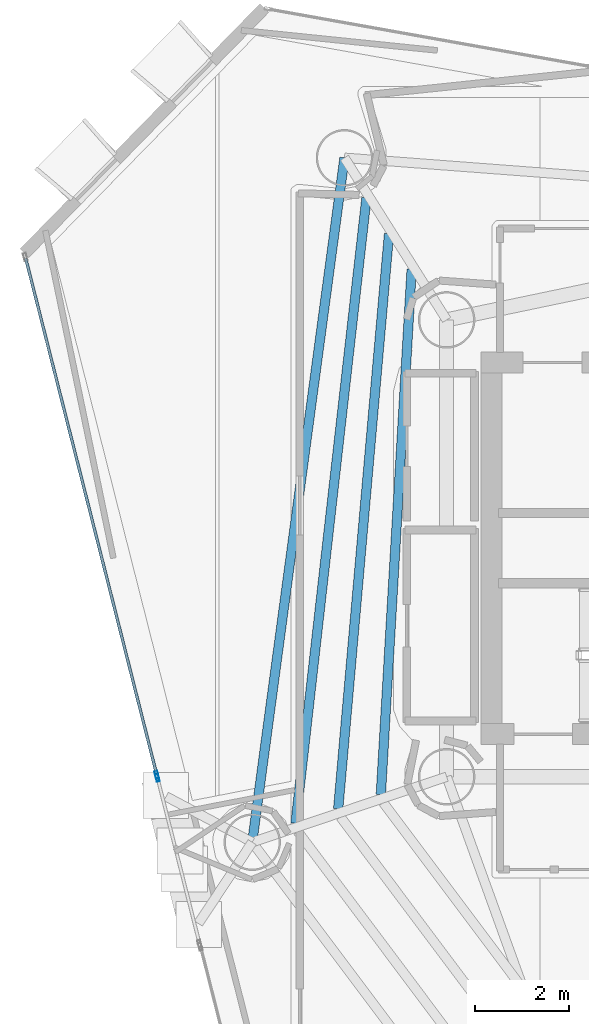
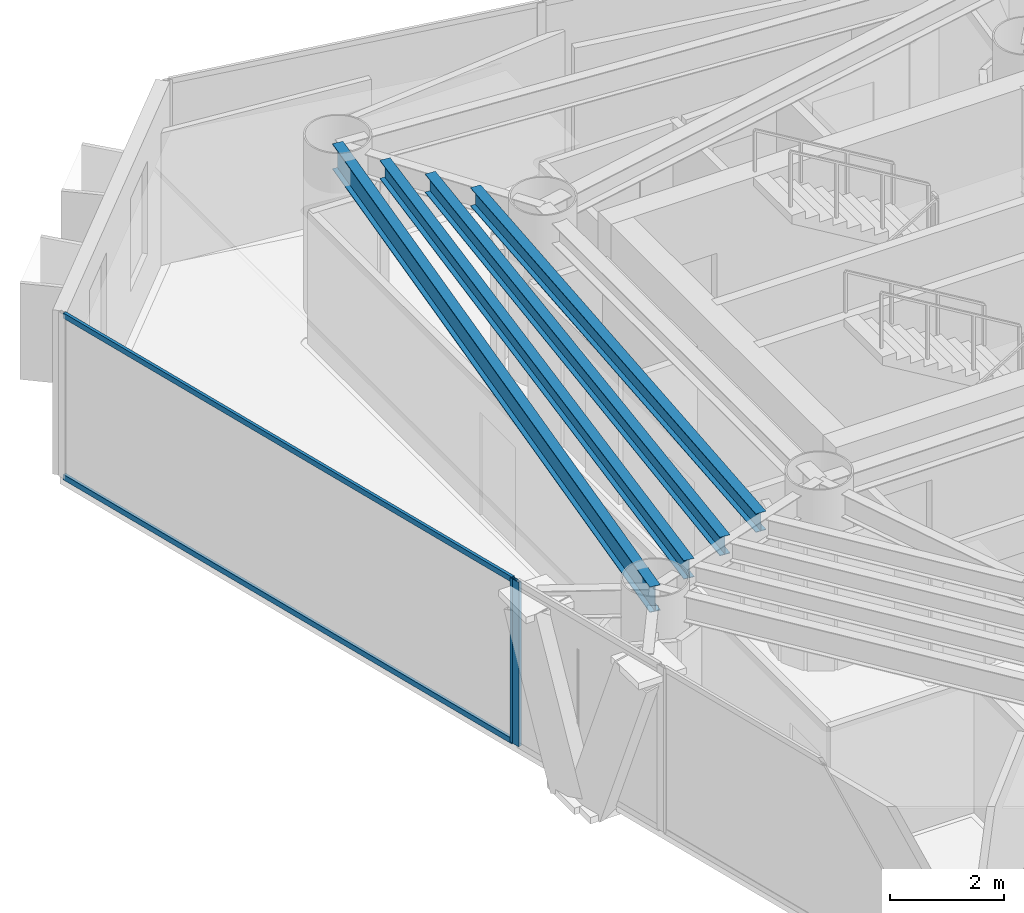
# One storey, part 7 of 22: 4 beams, 4 members, 2 elements without a shape of their own.
"""IFC4 building model written with IfcOpenShell, lengths in metres."""

from ifc_helpers import new_model, si_unit, direction, frame, origin, origin_2d, place, context, subcontext, project, spatial, hollow_rectangle, i_section, extrude, material, layer, layer_set, material_profile, profile_set, type_object, element, aggregate, save


model = new_model("IFC4")

# Units and contexts
model_context = context("Model", 3, precision=1e-05, world=origin(), true_north=direction((0.0, 1.0)))
body_context = subcontext(model_context, "Body", "Model", "MODEL_VIEW")
ifc_project = project(units=[si_unit("LENGTHUNIT", "METRE"), si_unit("AREAUNIT", "SQUARE_METRE"), si_unit("VOLUMEUNIT", "CUBIC_METRE"), si_unit("PLANEANGLEUNIT", "RADIAN"), si_unit("MASSUNIT", "GRAM", prefix="KILO")], contexts=[model_context])

# Site, building, storey
site_placement = place(None, origin())
site = spatial("IfcSite", under=ifc_project, at=site_placement, CompositionType="ELEMENT")
building_placement = place(site_placement, origin())
building = spatial("IfcBuilding", under=site, at=building_placement, Name="Qianvela Tower", CompositionType="ELEMENT")
storey_placement = place(building_placement, frame((0.0, 0.0, 207.699951171875)))
storey = spatial("IfcBuildingStorey", under=building, at=storey_placement, Name="L53", CompositionType="ELEMENT", Elevation=207.699951171875)

# Beams
ifc_material_1 = material(Name="Steel Q355B", Category="steel")
ifc_material_profile_1 = material_profile(ifc_material_1, i_section(OverallWidth=0.199951171875, OverallDepth=0.39990234375, WebThickness=0.008056640625, FlangeThickness=0.012939453125, at=origin_2d()), Name="HN400x200x8x13")
ifc_profile_set_1 = profile_set([ifc_material_profile_1], Name="Steel Q355B")
beam_type_1 = type_object("IfcBeamType", Name="BM-HN400-JOIST", PredefinedType="JOIST", material=ifc_profile_set_1)
beam_1_placement = place(storey_placement, frame((27.85693359375, 34.62451171875, 3.318115234375), z_axis=(-0.05861696358, -0.998280547532, 0.0), x_axis=(0.998280547532, -0.05861696358, 0.0)))
element("IfcBeam", 1, at=beam_1_placement, inside=storey, type_object=beam_type_1, Name="L53 Secondary Composite Floor Joist 3.1", PredefinedType="JOIST", context=body_context, shape_type="SweptSolid", body=[
    extrude(i_section(OverallWidth=0.199951171875, OverallDepth=0.39990234375, WebThickness=0.008056640625, FlangeThickness=0.012939453125, at=origin_2d()), origin(), (0.0, 0.0, 1.0), 11.170654296875),
])
beam_2_placement = place(storey_placement, frame((27.376953125, 35.3818359375, 3.318115234375), z_axis=(-0.088081491788, -0.996113272075, 0.0), x_axis=(0.996113272075, -0.088081491788, 0.0)))
element("IfcBeam", 2, at=beam_2_placement, inside=storey, type_object=beam_type_1, Name="L53 Secondary Composite Floor Joist 3.2", PredefinedType="JOIST", context=body_context, shape_type="SweptSolid", body=[
    extrude(i_section(OverallWidth=0.199951171875, OverallDepth=0.39990234375, WebThickness=0.008056640625, FlangeThickness=0.012939453125, at=origin_2d()), origin(), (0.0, 0.0, 1.0), 12.26220703125),
])
beam_3_placement = place(storey_placement, frame((26.8974609375, 36.139404296875, 3.318115234375), z_axis=(-0.112721124494, -0.993626664343, 0.0), x_axis=(0.993626664343, -0.112721124494, 0.0)))
element("IfcBeam", 3, at=beam_3_placement, inside=storey, type_object=beam_type_1, Name="L53 Secondary Composite Floor Joist 3.3", PredefinedType="JOIST", context=body_context, shape_type="SweptSolid", body=[
    extrude(i_section(OverallWidth=0.199951171875, OverallDepth=0.39990234375, WebThickness=0.008056640625, FlangeThickness=0.012939453125, at=origin_2d()), origin(), (0.0, 0.0, 1.0), 13.363525390625),
])
ifc_material_2 = material(Name="Steel Q355B", Category="steel")
ifc_material_profile_2 = material_profile(ifc_material_2, i_section(OverallWidth=0.199951171875, OverallDepth=0.550048828125, WebThickness=0.010009765625, FlangeThickness=0.01611328125, at=origin_2d()), Name="HN550x200x10x16")
ifc_profile_set_2 = profile_set([ifc_material_profile_2], Name="Steel Q355B")
beam_type_2 = type_object("IfcBeamType", Name="BM-HN550-GIRD", PredefinedType="BEAM", material=ifc_profile_set_2)
beam_4_placement = place(storey_placement, frame((26.430908203125, 36.991943359375, 3.2431640625), z_axis=(-0.133596613255, -0.991035793968, 0.0), x_axis=(0.991035793968, -0.133596613255, 0.0)))
element("IfcBeam", 4, at=beam_4_placement, inside=storey, type_object=beam_type_2, Name="L53 Perimeter Ring Spandrel Girder 3", PredefinedType="BEAM", context=body_context, shape_type="SweptSolid", body=[
    extrude(i_section(OverallWidth=0.199951171875, OverallDepth=0.550048828125, WebThickness=0.010009765625, FlangeThickness=0.01611328125, at=origin_2d()), origin(), (0.0, 0.0, 1.0), 14.663330078125),
])

# Curtain wall, member
ifc_material_3 = material(Name="Anodised Architectural Aluminium and Insulated Spandrel Panel", Category="aluminium")
ifc_layer_1 = layer(ifc_material_3, 0.179931640625)
ifc_layer_set_1 = layer_set([ifc_layer_1], Name="Anodised Architectural Aluminium and Insulated Spandrel Panel")
curtain_wall_type_1 = type_object("IfcCurtainWallType", Name="CW-BRACEBAY", PredefinedType="USERDEFINED", material=ifc_layer_set_1)
curtain_wall_1_placement = place(storey_placement, origin())
curtain_wall_1 = element("IfcCurtainWall", 5, at=curtain_wall_1_placement, inside=storey, type_object=curtain_wall_type_1, Name="L53 CW-BRACEBAY Curtain Wall 04B", ObjectType="CURTAIN_WALL_SYSTEM", PredefinedType="USERDEFINED")
ifc_material_4 = material(Name="Anodised Architectural Aluminium 6063-T6", Category="aluminium")
ifc_material_profile_3 = material_profile(ifc_material_4, hollow_rectangle(XDim=0.06494140625, YDim=0.159912109375, WallThickness=0.0048828125, at=origin_2d()), Name="ALU-MULL-65x160")
ifc_profile_set_3 = profile_set([ifc_material_profile_3], Name="Anodised Architectural Aluminium 6063-T6")
member_type_1 = type_object("IfcMemberType", Name="CW-BRACEBAY-MULL", PredefinedType="MULLION", material=ifc_profile_set_3)
member_1_placement = place(storey_placement, frame((22.461181640625, 23.826171875, 0.0), z_axis=(0.0, 0.0, 1.0), x_axis=(0.969276299059, 0.24597450291, 0.0)))
member_1 = element("IfcMember", 6, at=member_1_placement, type_object=member_type_1, Name="CW-9 mullion 1", PredefinedType="MULLION", context=body_context, shape_type="SweptSolid", body=[
    extrude(hollow_rectangle(XDim=0.06494140625, YDim=0.159912109375, WallThickness=0.0048828125, at=origin_2d()), origin(), (0.0, 0.0, 1.0), 3.52001953125),
])
aggregate(curtain_wall_1, [member_1])

# Curtain wall, members
ifc_material_5 = material(Name="Anodised Architectural Aluminium and Low-E Glass", Category="aluminium")
ifc_layer_2 = layer(ifc_material_5, 0.159912109375)
ifc_layer_set_2 = layer_set([ifc_layer_2], Name="Anodised Architectural Aluminium and Low-E Glass")
curtain_wall_type_2 = type_object("IfcCurtainWallType", Name="CW-COLIV-Z56", PredefinedType="USERDEFINED", material=ifc_layer_set_2)
curtain_wall_2_placement = place(storey_placement, origin())
curtain_wall_2 = element("IfcCurtainWall", 7, at=curtain_wall_2_placement, inside=storey, type_object=curtain_wall_type_2, Name="L53 CW-COLIV-Z56 Curtain Wall 04A", ObjectType="CURTAIN_WALL_SYSTEM", PredefinedType="USERDEFINED")
ifc_material_6 = material(Name="Anodised Architectural Aluminium 6063-T6", Category="aluminium")
ifc_material_profile_4 = material_profile(ifc_material_6, hollow_rectangle(XDim=0.06494140625, YDim=0.159912109375, WallThickness=0.0048828125, at=origin_2d()), Name="ALU-MULL-65x160")
ifc_profile_set_4 = profile_set([ifc_material_profile_4], Name="Anodised Architectural Aluminium 6063-T6")
member_type_2 = type_object("IfcMemberType", Name="CW-COLIV-Z56-MULL", PredefinedType="MULLION", material=ifc_profile_set_4)
member_2_placement = place(storey_placement, frame((22.4453125, 23.88916015625, 0.0), z_axis=(0.0, 0.0, 1.0), x_axis=(0.969273337569, 0.245986172536, 0.0)))
member_2 = element("IfcMember", 8, at=member_2_placement, type_object=member_type_2, Name="CW-5 mullion 2", PredefinedType="MULLION", context=body_context, shape_type="SweptSolid", body=[
    extrude(hollow_rectangle(XDim=0.06494140625, YDim=0.159912109375, WallThickness=0.0048828125, at=origin_2d()), origin(), (0.0, 0.0, 1.0), 3.52001953125),
])
ifc_material_7 = material(Name="Anodised Architectural Aluminium 6063-T6", Category="aluminium")
ifc_material_profile_5 = material_profile(ifc_material_7, hollow_rectangle(XDim=0.06005859375, YDim=0.114990234375, WallThickness=0.00390625, at=origin_2d()), Name="ALU-TRAN-60x115")
ifc_profile_set_5 = profile_set([ifc_material_profile_5], Name="Anodised Architectural Aluminium 6063-T6")
member_type_3 = type_object("IfcMemberType", Name="CW-COLIV-Z56-TRAN", PredefinedType="USERDEFINED", material=ifc_profile_set_5)
member_3_placement = place(storey_placement, frame((19.66259765625, 34.85400390625, 0.030029296875), z_axis=(0.245981823988, -0.96927444115, 0.0), x_axis=(0.96927444115, 0.245981823988, 0.0)))
member_3 = element("IfcMember", 9, at=member_3_placement, type_object=member_type_3, Name="CW-5 transom 1.1", ObjectType="TRANSOM", PredefinedType="USERDEFINED", context=body_context, shape_type="SweptSolid", body=[
    extrude(hollow_rectangle(XDim=0.06005859375, YDim=0.114990234375, WallThickness=0.00390625, at=origin_2d()), origin(), (0.0, 0.0, 1.0), 11.280029296875),
])
member_4_placement = place(storey_placement, frame((19.66259765625, 34.85400390625, 3.489990234375), z_axis=(0.245981823988, -0.96927444115, 0.0), x_axis=(0.96927444115, 0.245981823988, 0.0)))
member_4 = element("IfcMember", 10, at=member_4_placement, type_object=member_type_3, Name="CW-5 transom 1.2", ObjectType="TRANSOM", PredefinedType="USERDEFINED", context=body_context, shape_type="SweptSolid", body=[
    extrude(hollow_rectangle(XDim=0.06005859375, YDim=0.114990234375, WallThickness=0.00390625, at=origin_2d()), origin(), (0.0, 0.0, 1.0), 11.280029296875),
])
aggregate(curtain_wall_2, [member_2, member_3, member_4])

save(model, "model.ifc")
